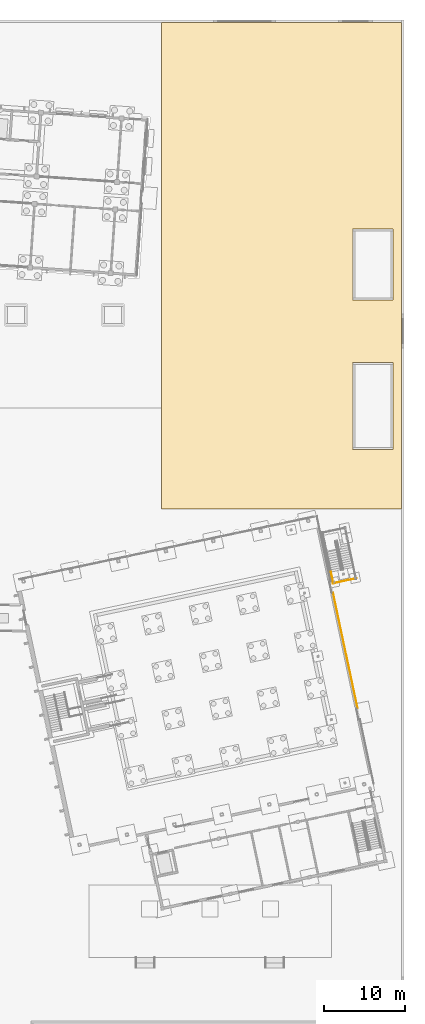
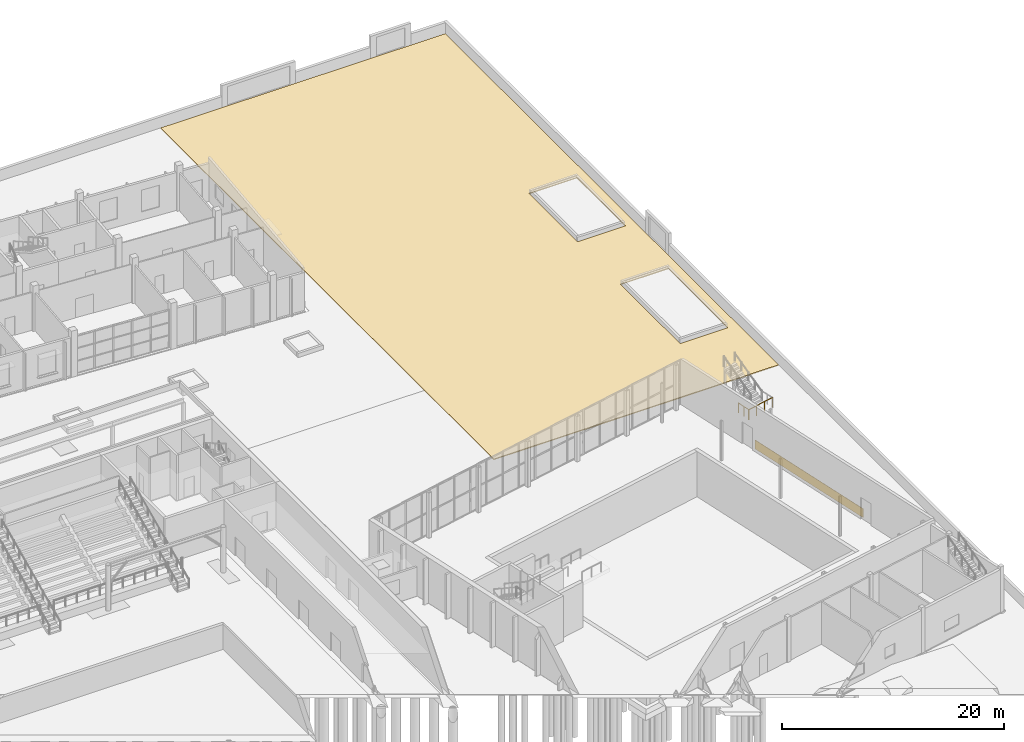
# One storey, part 153 of 157: 2 coverings, 2 railings.
"""IFC4 building model written with IfcOpenShell, lengths in metres."""

from ifc_helpers import new_model, si_unit, direction, frame, origin, origin_2d, place, context, subcontext, project, spatial, polyline, circle, outline, extrude, material, layer, layer_set, type_object, element, save


model = new_model("IFC4")

# Units and contexts
model_context = context("Model", 3, precision=1e-05, world=origin(), true_north=direction((0.0, 1.0)))
body_context = subcontext(model_context, "Body", "Model", "MODEL_VIEW")
ifc_project = project(units=[si_unit("LENGTHUNIT", "METRE"), si_unit("AREAUNIT", "SQUARE_METRE"), si_unit("VOLUMEUNIT", "CUBIC_METRE"), si_unit("PLANEANGLEUNIT", "RADIAN"), si_unit("MASSUNIT", "GRAM", prefix="KILO")], contexts=[model_context])

# Site, building, storey
site_placement = place(None, origin())
site = spatial("IfcSite", under=ifc_project, at=site_placement, CompositionType="ELEMENT")
building_placement = place(site_placement, origin())
building = spatial("IfcBuilding", under=site, at=building_placement, Name="Windward Yard Aquatics Centre", CompositionType="ELEMENT")
storey_placement = place(building_placement, origin())
storey = spatial("IfcBuildingStorey", under=building, at=storey_placement, Name="L00", CompositionType="ELEMENT", Elevation=0.0)

# Railings
ifc_material_1 = material(Name="Stainless steel 1.4529", Category="steel")
railing_type = type_object("IfcRailingType", Name="D Gallery escape stair stair guard", PredefinedType="GUARDRAIL", material=ifc_material_1)
railing_1_placement = place(storey_placement, frame((194.97509765625, 75.6884765625, 2.5)))
element("IfcRailing", 1, at=railing_1_placement, inside=storey, type_object=railing_type, Name="L00 D-ST2 stair guard 3", PredefinedType="GUARDRAIL", context=body_context, shape_type="SweptSolid", body=[
    extrude(circle(Radius=0.02392578125, at=origin_2d()), frame((0.0, 0.0, 1.076171875), z_axis=(0.207838757885, -0.978163100265, 0.0), x_axis=(0.978163100265, 0.207838757885, 0.0)), (0.0, 0.0, 1.0), 1.460205078125),
    extrude(circle(Radius=0.02099609375, at=origin_2d()), origin(), (0.0, 0.0, 1.0), 1.052001953125),
    extrude(circle(Radius=0.02099609375, at=origin_2d()), frame((0.15185546875, -0.714111328125, 0.0)), (0.0, 0.0, 1.0), 1.052001953125),
    extrude(circle(Radius=0.02099609375, at=origin_2d()), frame((0.303466796875, -1.42822265625, 0.0)), (0.0, 0.0, 1.0), 1.052001953125),
])
railing_2_placement = place(storey_placement, frame((195.21923828125, 74.298828125, 2.5)))
element("IfcRailing", 2, at=railing_2_placement, inside=storey, type_object=railing_type, Name="L00 D-ST2 stair guard 5", PredefinedType="GUARDRAIL", context=body_context, shape_type="SweptSolid", body=[
    extrude(circle(Radius=0.02392578125, at=origin_2d()), frame((0.0, 0.0, 1.076171875), z_axis=(0.978151067813, 0.207895378826, 0.0), x_axis=(-0.207895378826, 0.978151067813, 0.0)), (0.0, 0.0, 1.0), 2.949951171875),
    extrude(circle(Radius=0.02099609375, at=origin_2d()), origin(), (0.0, 0.0, 1.0), 1.052001953125),
    extrude(circle(Radius=0.02099609375, at=origin_2d()), frame((0.9619140625, 0.204345703125, 0.0)), (0.0, 0.0, 1.0), 1.052001953125),
    extrude(circle(Radius=0.02099609375, at=origin_2d()), frame((1.923583984375, 0.408935546875, 0.0)), (0.0, 0.0, 1.0), 1.052001953125),
    extrude(circle(Radius=0.02099609375, at=origin_2d()), frame((2.885498046875, 0.61328125, 0.0)), (0.0, 0.0, 1.0), 1.052001953125),
])

# Coverings
ifc_material_2 = material(Name="Limestone cladding on stainless steel brackets", Category="masonry")
ifc_layer_1 = layer(ifc_material_2, 0.0400390625)
ifc_layer_set_1 = layer_set([ifc_layer_1], Name="D stone plinth cladding 40")
covering_type_1 = type_object("IfcCoveringType", Name="D stone plinth cladding 40", PredefinedType="CLADDING", material=ifc_layer_set_1)
covering_1_placement = place(storey_placement, origin())
element("IfcCovering", 3, at=covering_1_placement, inside=storey, type_object=covering_type_1, Name="Plinth cladding panel 2", PredefinedType="CLADDING", context=body_context, shape_type="SweptSolid", body=[
    extrude(outline(polyline([(195.213623046875, 73.121826171875), (195.2529296875, 73.13037109375), (198.288330078125, 58.849365234375), (198.249267578125, 58.841064453125), (195.213623046875, 73.121826171875)])), origin(), (0.0, 0.0, 1.0), 0.97998046875),
])
ifc_material_3 = material(Name="Asphalt surfacing")
ifc_layer_2 = layer(ifc_material_3, 0.10009765625)
ifc_layer_set_2 = layer_set([ifc_layer_2], Name="X Car Park Surfacing 100")
covering_type_2 = type_object("IfcCoveringType", Name="X Car Park Surfacing 100", PredefinedType="FLOORING", material=ifc_layer_set_2)
covering_2_placement = place(storey_placement, frame((0.0, 0.0, -0.10009765625)))
element("IfcCovering", 4, at=covering_2_placement, inside=storey, type_object=covering_type_2, Name="Car park B paving 1", PredefinedType="FLOORING", context=body_context, shape_type="SweptSolid", body=[
    extrude(outline(polyline([(174.0, 83.5), (203.679931640625, 83.5), (203.679931640625, 143.679931640625), (174.0, 143.679931640625), (174.0, 83.5)]), holes=[polyline([(197.655029296875, 90.875), (197.656494140625, 90.8671875), (197.663818359375, 90.8583984375), (197.675048828125, 90.85498046875), (202.625, 90.85498046875), (202.635986328125, 90.8583984375), (202.6435546875, 90.8671875), (202.64501953125, 90.875), (202.64501953125, 101.625), (202.6435546875, 101.6328125), (202.635986328125, 101.6416015625), (202.625, 101.64501953125), (197.675048828125, 101.64501953125), (197.667236328125, 101.6435546875), (197.658447265625, 101.635986328125), (197.655029296875, 101.625), (197.655029296875, 90.875)]), polyline([(197.655029296875, 109.375), (197.657470703125, 109.365478515625), (197.663818359375, 109.3583984375), (197.675048828125, 109.35498046875), (202.625, 109.35498046875), (202.635986328125, 109.3583984375), (202.6435546875, 109.3671875), (202.64501953125, 109.375), (202.64501953125, 118.125), (202.642578125, 118.134521484375), (202.635986328125, 118.1416015625), (202.625, 118.14501953125), (197.675048828125, 118.14501953125), (197.66552734375, 118.142578125), (197.657470703125, 118.134521484375), (197.655029296875, 118.125), (197.655029296875, 109.375)])]), origin(), (0.0, 0.0, 1.0), 0.10009765625),
])

save(model, "model.ifc")
